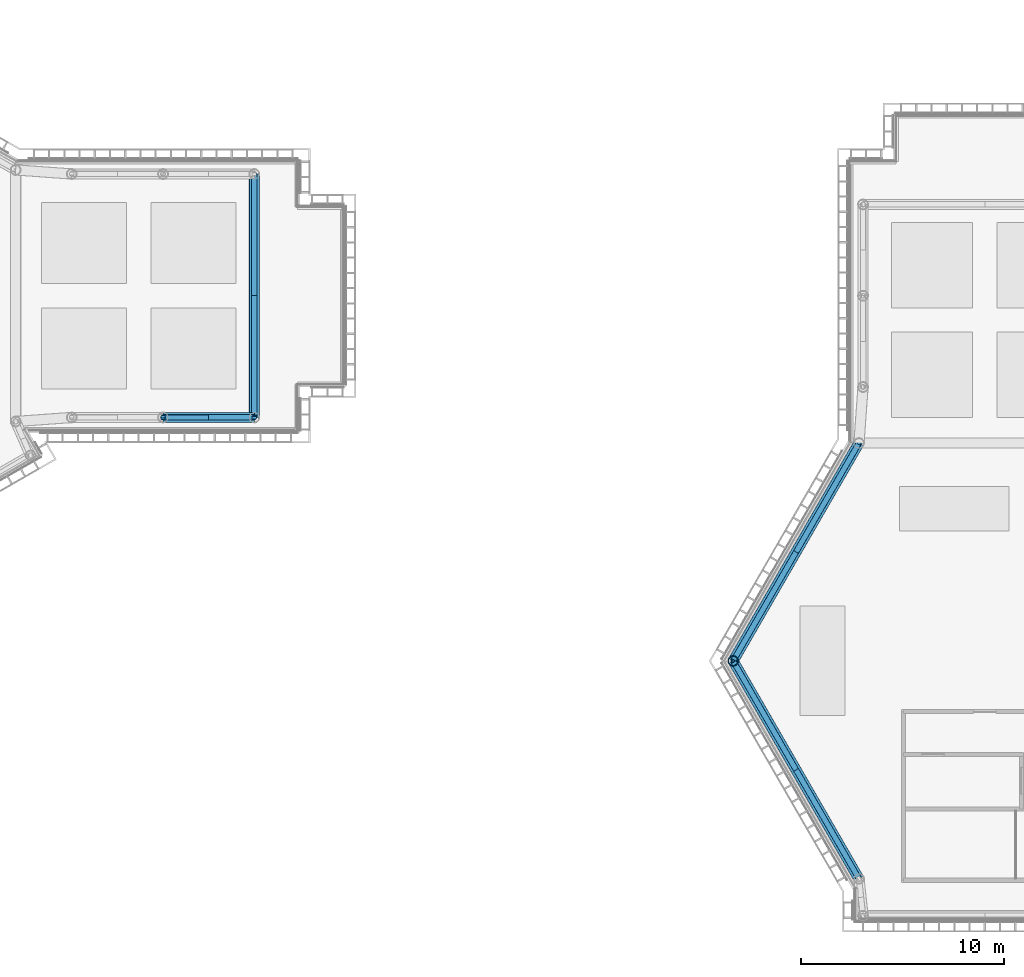
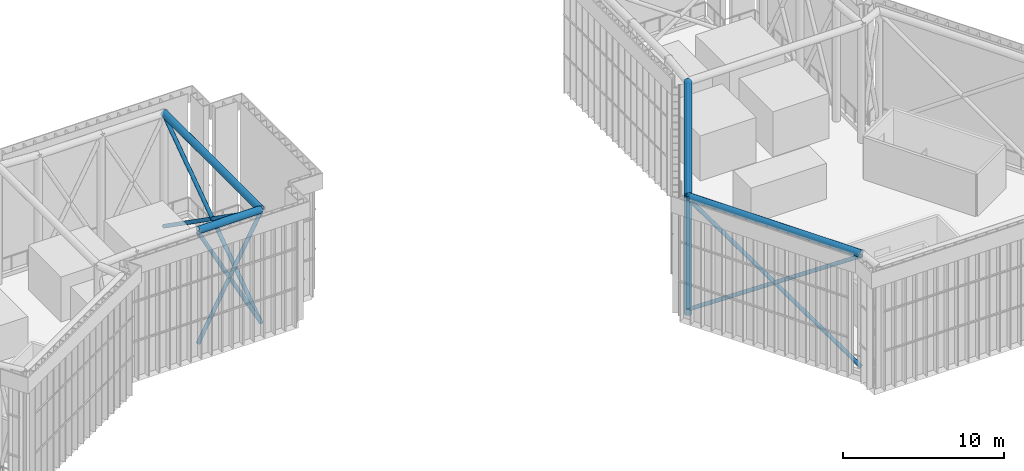
# One storey, part 4 of 17: 9 members, 4 beams.
"""IFC4 building model written with IfcOpenShell, lengths in metres."""

from ifc_helpers import new_model, si_unit, direction, frame, origin, origin_2d, place, context, subcontext, project, spatial, hollow_circle, extrude, material, material_profile, profile_set, type_object, element, save


model = new_model("IFC4")

# Units and contexts
model_context = context("Model", 3, precision=1e-05, world=origin(), true_north=direction((0.0, 1.0)))
body_context = subcontext(model_context, "Body", "Model", "MODEL_VIEW")
ifc_project = project(units=[si_unit("LENGTHUNIT", "METRE"), si_unit("AREAUNIT", "SQUARE_METRE"), si_unit("VOLUMEUNIT", "CUBIC_METRE"), si_unit("PLANEANGLEUNIT", "RADIAN"), si_unit("MASSUNIT", "GRAM", prefix="KILO")], contexts=[model_context])

# Site, building, storey
site_placement = place(None, origin())
site = spatial("IfcSite", under=ifc_project, at=site_placement, CompositionType="ELEMENT")
building_placement = place(site_placement, origin())
building = spatial("IfcBuilding", under=site, at=building_placement, Name="Upepo Twin Towers", CompositionType="ELEMENT")
storey_placement = place(building_placement, frame((0.0, 0.0, 296.5)))
storey = spatial("IfcBuildingStorey", under=building, at=storey_placement, Name="RF", CompositionType="ELEMENT", Elevation=296.5)

# Members
ifc_material_1 = material(Name="Steel S355", Category="steel")
ifc_material_profile_1 = material_profile(ifc_material_1, hollow_circle(Radius=0.136474609375, WallThickness=0.012451171875, at=origin_2d()), Name="CHS 273.0x12.5")
ifc_profile_set_1 = profile_set([ifc_material_profile_1], Name="Steel S355")
member_type_1 = type_object("IfcMemberType", Name="Crown frame brace CHS 273.0x12.5", PredefinedType="USERDEFINED", material=ifc_profile_set_1)
for number, where, z_axis, x_axis, name in (
    (1, (22.5, 6.0, 0.300048828125), (0.0, -0.819235052632, 0.57345786989), (1.0, 0.0, 0.0), "T1 crown cross brace AL225 to AR225"),
    (2, (22.5, -6.0, 0.300048828125), (0.0, 0.819235052632, 0.57345786989), (-1.0, 0.0, 0.0), "T1 crown cross brace AR225 to AL225"),
):
    element("IfcMember", number, at=place(storey_placement, frame(where, z_axis=z_axis, x_axis=x_axis)), inside=storey, type_object=member_type_1, Name=name, ObjectType="CROWN FRAME", PredefinedType="USERDEFINED", context=body_context, shape_type="SweptSolid", body=[
        extrude(hollow_circle(Radius=0.136474609375, WallThickness=0.012451171875, at=origin_2d()), origin(), (0.0, 0.0, 1.0), 14.647705078125),
    ])
for number, where, z_axis, x_axis, name in (
    (3, (22.5, -6.0, 0.300048828125), (-0.472225678258, 0.0, 0.881477684796), (0.0, -1.0, 0.0), "T1 crown cross brace AR225 to AR180"),
    (4, (18.0, -6.0, 0.300048828125), (0.472225678258, 0.0, 0.881477684796), (0.0, 1.0, 0.0), "T1 crown cross brace AR180 to AR225"),
):
    element("IfcMember", number, at=place(storey_placement, frame(where, z_axis=z_axis, x_axis=x_axis)), inside=storey, type_object=member_type_1, Name=name, ObjectType="CROWN FRAME", PredefinedType="USERDEFINED", context=body_context, shape_type="SweptSolid", body=[
        extrude(hollow_circle(Radius=0.136474609375, WallThickness=0.012451171875, at=origin_2d()), origin(), (0.0, 0.0, 1.0), 9.529296875),
    ])
for number, where, z_axis, x_axis, name in (
    (5, (52.300048828125, -7.26123046875, 0.300048828125), (-0.413957077036, -0.717003976787, 0.560842968793), (0.866028208143, -0.499995142677, 0.0), "T2 crown cross brace H0 to H1"),
    (6, (46.10009765625, -18.0, 0.300048828125), (0.413957077036, 0.717003976787, 0.560842968793), (-0.866028208143, 0.499995142677, 0.0), "T2 crown cross brace H1 to H0"),
    (7, (46.10009765625, -18.0, 0.300048828125), (0.413957077036, -0.717003976787, 0.560842968793), (0.866028208143, 0.499995142677, 0.0), "T2 crown cross brace H1 to H2"),
    (8, (52.300048828125, -28.73876953125, 0.300048828125), (-0.413957077036, 0.717003976787, 0.560842968793), (-0.866028208143, -0.499995142677, 0.0), "T2 crown cross brace H2 to H1"),
):
    element("IfcMember", number, at=place(storey_placement, frame(where, z_axis=z_axis, x_axis=x_axis)), inside=storey, type_object=member_type_1, Name=name, ObjectType="CROWN FRAME", PredefinedType="USERDEFINED", context=body_context, shape_type="SweptSolid", body=[
        extrude(hollow_circle(Radius=0.136474609375, WallThickness=0.012451171875, at=origin_2d()), origin(), (0.0, 0.0, 1.0), 14.977294921875),
    ])
ifc_material_2 = material(Name="Steel S355", Category="steel")
ifc_material_profile_2 = material_profile(ifc_material_2, hollow_circle(Radius=0.25390625, WallThickness=0.02490234375, at=origin_2d()), Name="CHS 508.0x25.0")
ifc_profile_set_2 = profile_set([ifc_material_profile_2], Name="Steel S355")
member_type_2 = type_object("IfcMemberType", Name="Crown frame post CHS 508.0x25.0", PredefinedType="USERDEFINED", material=ifc_profile_set_2)
member_placement = place(storey_placement, frame((46.10009765625, -18.0, 0.0), z_axis=(0.0, 0.0, 1.0), x_axis=(1.0, 0.0, 0.0)))
element("IfcMember", 9, at=member_placement, inside=storey, type_object=member_type_2, Name="T2 crown frame post H1", ObjectType="CROWN FRAME", PredefinedType="USERDEFINED", context=body_context, shape_type="SweptSolid", body=[
    extrude(hollow_circle(Radius=0.25390625, WallThickness=0.02490234375, at=origin_2d()), origin(), (0.0, 0.0, 1.0), 9.0),
])

# Beams
ifc_material_3 = material(Name="Steel S355", Category="steel")
ifc_material_profile_3 = material_profile(ifc_material_3, hollow_circle(Radius=0.25390625, WallThickness=0.02490234375, at=origin_2d()), Name="CHS 508.0x25.0")
ifc_profile_set_3 = profile_set([ifc_material_profile_3], Name="Steel S355")
beam_type = type_object("IfcBeamType", Name="Crown frame ring beam CHS 508.0x25.0", PredefinedType="USERDEFINED", material=ifc_profile_set_3)
beam_1_placement = place(storey_placement, frame((22.5, 6.0, 8.85009765625), z_axis=(0.0, -1.0, 0.0), x_axis=(1.0, 0.0, 0.0)))
element("IfcBeam", 10, at=beam_1_placement, inside=storey, type_object=beam_type, Name="T1 crown ring AL225-AR225", ObjectType="CROWN FRAME", PredefinedType="USERDEFINED", context=body_context, shape_type="SweptSolid", body=[
    extrude(hollow_circle(Radius=0.25390625, WallThickness=0.02490234375, at=origin_2d()), origin(), (0.0, 0.0, 1.0), 12.0),
])
beam_2_placement = place(storey_placement, frame((22.5, -6.0, 8.85009765625), z_axis=(-1.0, 0.0, 0.0), x_axis=(0.0, -1.0, 0.0)))
element("IfcBeam", 11, at=beam_2_placement, inside=storey, type_object=beam_type, Name="T1 crown ring AR225-AR180", ObjectType="CROWN FRAME", PredefinedType="USERDEFINED", context=body_context, shape_type="SweptSolid", body=[
    extrude(hollow_circle(Radius=0.25390625, WallThickness=0.02490234375, at=origin_2d()), origin(), (0.0, 0.0, 1.0), 4.5),
])
for number, where, z_axis, x_axis, name in (
    (12, (52.300048828125, -7.26123046875, 8.85009765625), (-0.499995142677, -0.866028208143, 0.0), (0.866028208143, -0.499995142677, 0.0), "T2 crown ring H0-H1"),
    (13, (46.10009765625, -18.0, 8.85009765625), (0.499995142677, -0.866028208143, 0.0), (0.866028208143, 0.499995142677, 0.0), "T2 crown ring H1-H2"),
):
    element("IfcBeam", number, at=place(storey_placement, frame(where, z_axis=z_axis, x_axis=x_axis)), inside=storey, type_object=beam_type, Name=name, ObjectType="CROWN FRAME", PredefinedType="USERDEFINED", context=body_context, shape_type="SweptSolid", body=[
        extrude(hollow_circle(Radius=0.25390625, WallThickness=0.02490234375, at=origin_2d()), origin(), (0.0, 0.0, 1.0), 12.39990234375),
    ])

save(model, "model.ifc")
